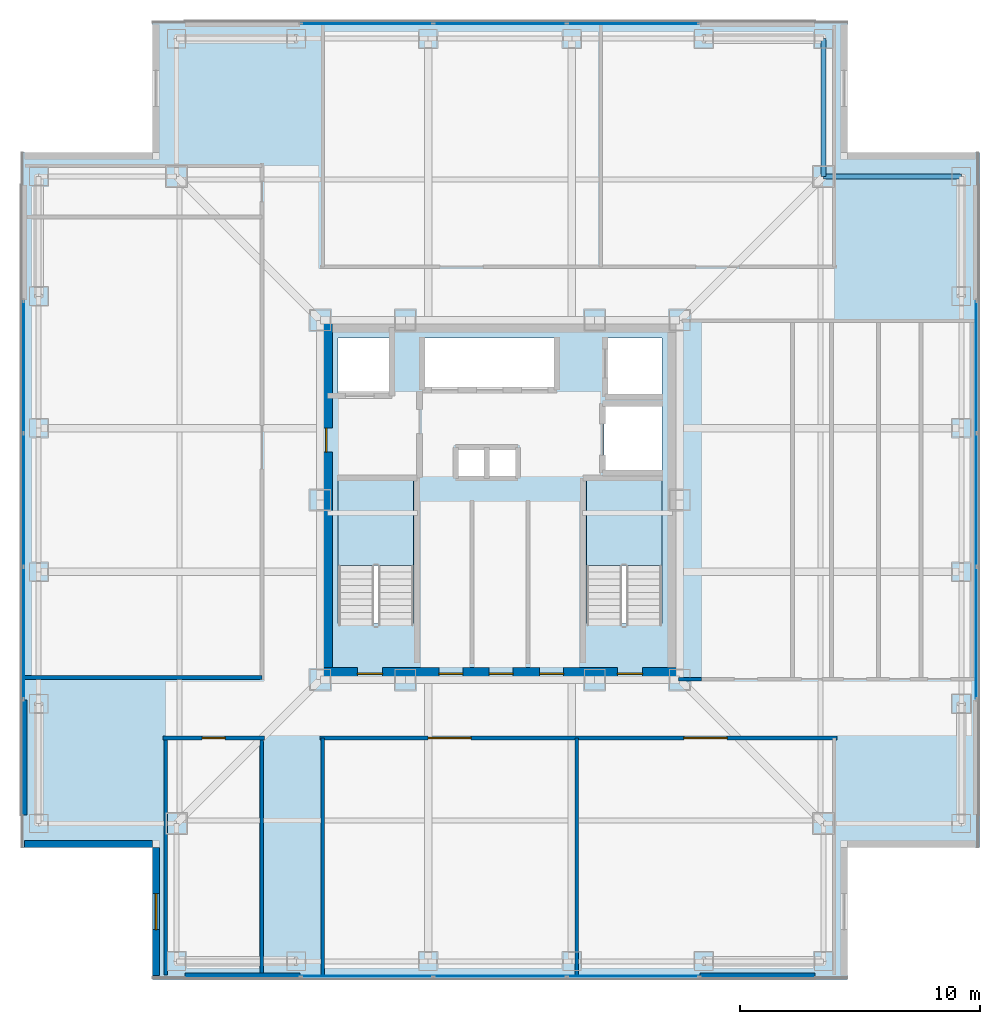
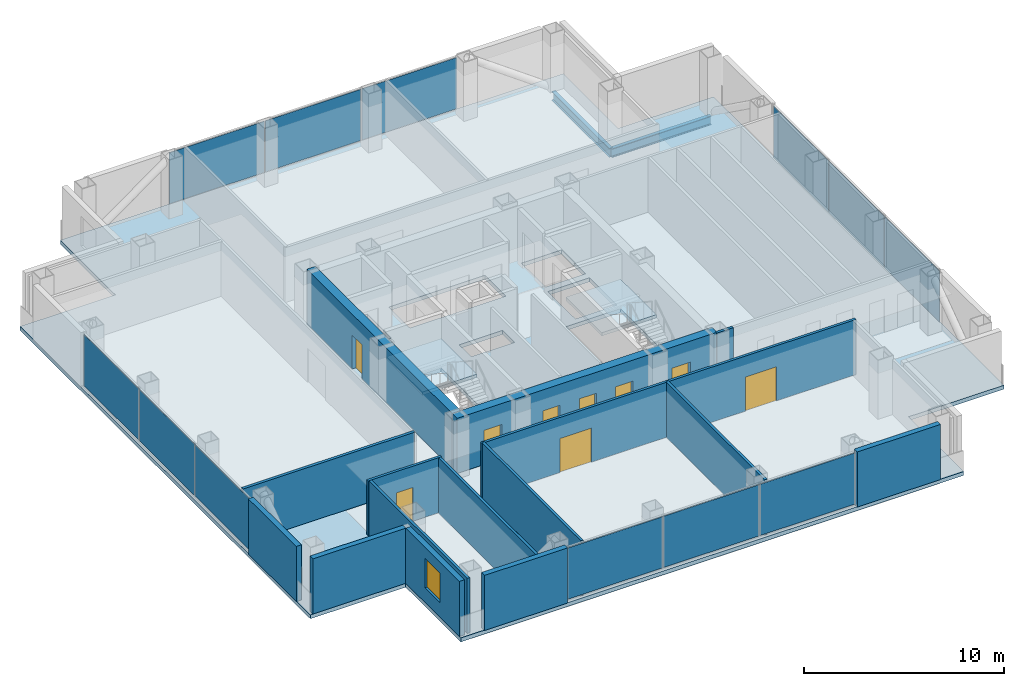
# One storey, part 9 of 17: 15 walls, 12 plates, 9 doors, 3 slabs, 2 beams, 1 window, 10 openings, 6 elements without a shape of their own.
"""IFC4 building model written with IfcOpenShell, lengths in metres."""

from ifc_helpers import new_model, si_unit, direction, frame, frame_2d, origin, origin_2d, place, context, subcontext, project, spatial, polyline, rectangle, i_section, outline, extrude, material, layer, layer_set, material_profile, profile_set, type_object, element, fill, aggregate, save


model = new_model("IFC4")

# Units and contexts
model_context = context("Model", 3, precision=1e-05, world=origin(), true_north=direction((0.0, 1.0)))
body_context = subcontext(model_context, "Body", "Model", "MODEL_VIEW")
ifc_project = project(units=[si_unit("LENGTHUNIT", "METRE"), si_unit("AREAUNIT", "SQUARE_METRE"), si_unit("VOLUMEUNIT", "CUBIC_METRE"), si_unit("PLANEANGLEUNIT", "RADIAN"), si_unit("MASSUNIT", "GRAM", prefix="KILO")], contexts=[model_context])

# Site, building, storey
site_placement = place(None, origin())
site = spatial("IfcSite", under=ifc_project, at=site_placement, CompositionType="ELEMENT")
building_placement = place(site_placement, origin())
building = spatial("IfcBuilding", under=site, at=building_placement, Name="Trevonay Congress Spire", CompositionType="ELEMENT")
storey_placement = place(building_placement, frame((0.0, 0.0, 191.39990234375)))
storey = spatial("IfcBuildingStorey", under=building, at=storey_placement, Name="L49", CompositionType="ELEMENT", Elevation=191.39990234375)

# Beams
ifc_material_1 = material(Name="Steel ASTM A572 Grade 50", Category="steel")
ifc_material_profile = material_profile(ifc_material_1, i_section(OverallWidth=0.2119140625, OverallDepth=0.5439453125, WebThickness=0.01318359375, FlangeThickness=0.021240234375, FilletRadius=0.014892578125, at=origin_2d()), Name="W530x123")
ifc_profile_set = profile_set([ifc_material_profile], Name="Steel ASTM A572 Grade 50")
beam_type = type_object("IfcBeamType", Name="BM-RING-W530X123", PredefinedType="BEAM", material=ifc_profile_set)
for number, where, z_axis, x_axis, name in (
    (1, (13.5, 19.25, -0.511962890625), (0.0, -1.0, 0.0), (1.0, 0.0, 0.0), "L49 structural beam BM-L49-N1NE"),
    (2, (19.25, 13.5, -0.511962890625), (-1.0, 0.0, 0.0), (0.0, -1.0, 0.0), "L49 structural beam BM-L49-N2NE"),
):
    element("IfcBeam", number, at=place(storey_placement, frame(where, z_axis=z_axis, x_axis=x_axis)), inside=storey, type_object=beam_type, Name=name, PredefinedType="BEAM", context=body_context, shape_type="SweptSolid", body=[
        extrude(i_section(OverallWidth=0.2119140625, OverallDepth=0.5439453125, WebThickness=0.01318359375, FlangeThickness=0.021240234375, FilletRadius=0.014892578125, at=origin_2d()), origin(), (0.0, 0.0, 1.0), 5.75),
    ])

# Curtain wall, plates
ifc_material_2 = material(Name="Pale Anodised Aluminium EN AW-6063-T6", Category="aluminium")
ifc_layer_1 = layer(ifc_material_2, 0.169921875, Name="Pale Anodised Aluminium EN AW-6063-T6")
ifc_layer_set_1 = layer_set([ifc_layer_1], Name="Pale Anodised Aluminium EN AW-6063-T6")
curtain_wall_type = type_object("IfcCurtainWallType", Name="CW-SYS04-CORP-PALE-METAL", PredefinedType="NOTDEFINED", material=ifc_layer_set_1)
curtain_wall_1_placement = place(storey_placement, origin())
curtain_wall_1 = element("IfcCurtainWall", 3, at=curtain_wall_1_placement, inside=storey, type_object=curtain_wall_type, Name="L49 S unitised curtain wall", PredefinedType="NOTDEFINED")
ifc_material_3 = material(Name="Insulated Low-E Vision Glass IGU", Category="glass")
ifc_layer_2 = layer(ifc_material_3, 0.035888671875, Name="Insulated Low-E Vision Glass IGU")
ifc_layer_set_2 = layer_set([ifc_layer_2], Name="Insulated Low-E Vision Glass IGU")
plate_type = type_object("IfcPlateType", Name="CW-PANEL-IGU36-SILVER", PredefinedType="CURTAIN_PANEL", material=ifc_layer_set_2)
plate_1_placement = place(storey_placement, frame((-5.5517578125, -19.8798828125, 0.1201171875), z_axis=(0.0, 0.0, 1.0), x_axis=(1.0, 0.0, 0.0)))
plate_1 = element("IfcPlate", 4, at=plate_1_placement, type_object=plate_type, Name="CW04 panel 1.1", PredefinedType="CURTAIN_PANEL", context=body_context, shape_type="SweptSolid", body=[
    extrude(rectangle(XDim=5.4765625, YDim=0.035888671875, at=origin_2d()), origin(), (0.0, 0.0, 1.0), 3.1201171875),
])
plate_2_placement = place(storey_placement, frame((0.0, -19.8798828125, 0.1201171875), z_axis=(0.0, 0.0, 1.0), x_axis=(1.0, 0.0, 0.0)))
plate_2 = element("IfcPlate", 5, at=plate_2_placement, type_object=plate_type, Name="CW04 panel 2.1", PredefinedType="CURTAIN_PANEL", context=body_context, shape_type="SweptSolid", body=[
    extrude(rectangle(XDim=5.506591796875, YDim=0.035888671875, at=origin_2d()), origin(), (0.0, 0.0, 1.0), 3.1201171875),
])
plate_3_placement = place(storey_placement, frame((5.5517578125, -19.8798828125, 0.1201171875), z_axis=(0.0, 0.0, 1.0), x_axis=(1.0, 0.0, 0.0)))
plate_3 = element("IfcPlate", 6, at=plate_3_placement, type_object=plate_type, Name="CW04 panel 3.1", PredefinedType="CURTAIN_PANEL", context=body_context, shape_type="SweptSolid", body=[
    extrude(rectangle(XDim=5.4765625, YDim=0.035888671875, at=origin_2d()), origin(), (0.0, 0.0, 1.0), 3.1201171875),
])
aggregate(curtain_wall_1, [plate_1, plate_2, plate_3])

curtain_wall_2_placement = place(storey_placement, origin())
curtain_wall_2 = element("IfcCurtainWall", 7, at=curtain_wall_2_placement, inside=storey, type_object=curtain_wall_type, Name="L49 N unitised curtain wall", PredefinedType="NOTDEFINED")
plate_4_placement = place(storey_placement, frame((-5.5517578125, 19.8798828125, 0.1201171875), z_axis=(0.0, 0.0, 1.0), x_axis=(1.0, 0.0, 0.0)))
plate_4 = element("IfcPlate", 8, at=plate_4_placement, type_object=plate_type, Name="CW04 panel 1.1", PredefinedType="CURTAIN_PANEL", context=body_context, shape_type="SweptSolid", body=[
    extrude(rectangle(XDim=5.4765625, YDim=0.035888671875, at=origin_2d()), origin(), (0.0, 0.0, 1.0), 3.1201171875),
])
plate_5_placement = place(storey_placement, frame((0.0, 19.8798828125, 0.1201171875), z_axis=(0.0, 0.0, 1.0), x_axis=(1.0, 0.0, 0.0)))
plate_5 = element("IfcPlate", 9, at=plate_5_placement, type_object=plate_type, Name="CW04 panel 2.1", PredefinedType="CURTAIN_PANEL", context=body_context, shape_type="SweptSolid", body=[
    extrude(rectangle(XDim=5.506591796875, YDim=0.035888671875, at=origin_2d()), origin(), (0.0, 0.0, 1.0), 3.1201171875),
])
plate_6_placement = place(storey_placement, frame((5.5517578125, 19.8798828125, 0.1201171875), z_axis=(0.0, 0.0, 1.0), x_axis=(1.0, 0.0, 0.0)))
plate_6 = element("IfcPlate", 10, at=plate_6_placement, type_object=plate_type, Name="CW04 panel 3.1", PredefinedType="CURTAIN_PANEL", context=body_context, shape_type="SweptSolid", body=[
    extrude(rectangle(XDim=5.4765625, YDim=0.035888671875, at=origin_2d()), origin(), (0.0, 0.0, 1.0), 3.1201171875),
])
aggregate(curtain_wall_2, [plate_4, plate_5, plate_6])

curtain_wall_3_placement = place(storey_placement, origin())
curtain_wall_3 = element("IfcCurtainWall", 11, at=curtain_wall_3_placement, inside=storey, type_object=curtain_wall_type, Name="L49 W unitised curtain wall", PredefinedType="NOTDEFINED")
plate_7_placement = place(storey_placement, frame((-19.8798828125, -5.5517578125, 0.1201171875), z_axis=(0.0, 0.0, 1.0), x_axis=(0.0, 1.0, 0.0)))
plate_7 = element("IfcPlate", 12, at=plate_7_placement, type_object=plate_type, Name="CW04 panel 1.1", PredefinedType="CURTAIN_PANEL", context=body_context, shape_type="SweptSolid", body=[
    extrude(rectangle(XDim=5.4765625, YDim=0.035888671875, at=origin_2d()), origin(), (0.0, 0.0, 1.0), 3.1201171875),
])
plate_8_placement = place(storey_placement, frame((-19.8798828125, 0.0, 0.1201171875), z_axis=(0.0, 0.0, 1.0), x_axis=(0.0, 1.0, 0.0)))
plate_8 = element("IfcPlate", 13, at=plate_8_placement, type_object=plate_type, Name="CW04 panel 2.1", PredefinedType="CURTAIN_PANEL", context=body_context, shape_type="SweptSolid", body=[
    extrude(rectangle(XDim=5.506591796875, YDim=0.035888671875, at=origin_2d()), origin(), (0.0, 0.0, 1.0), 3.1201171875),
])
plate_9_placement = place(storey_placement, frame((-19.8798828125, 5.5517578125, 0.1201171875), z_axis=(0.0, 0.0, 1.0), x_axis=(0.0, 1.0, 0.0)))
plate_9 = element("IfcPlate", 14, at=plate_9_placement, type_object=plate_type, Name="CW04 panel 3.1", PredefinedType="CURTAIN_PANEL", context=body_context, shape_type="SweptSolid", body=[
    extrude(rectangle(XDim=5.4765625, YDim=0.035888671875, at=origin_2d()), origin(), (0.0, 0.0, 1.0), 3.1201171875),
])
aggregate(curtain_wall_3, [plate_7, plate_8, plate_9])

curtain_wall_4_placement = place(storey_placement, origin())
curtain_wall_4 = element("IfcCurtainWall", 15, at=curtain_wall_4_placement, inside=storey, type_object=curtain_wall_type, Name="L49 E unitised curtain wall", PredefinedType="NOTDEFINED")
plate_10_placement = place(storey_placement, frame((19.8798828125, -5.5517578125, 0.1201171875), z_axis=(0.0, 0.0, 1.0), x_axis=(0.0, 1.0, 0.0)))
plate_10 = element("IfcPlate", 16, at=plate_10_placement, type_object=plate_type, Name="CW04 panel 1.1", PredefinedType="CURTAIN_PANEL", context=body_context, shape_type="SweptSolid", body=[
    extrude(rectangle(XDim=5.4765625, YDim=0.035888671875, at=origin_2d()), origin(), (0.0, 0.0, 1.0), 3.1201171875),
])
plate_11_placement = place(storey_placement, frame((19.8798828125, 0.0, 0.1201171875), z_axis=(0.0, 0.0, 1.0), x_axis=(0.0, 1.0, 0.0)))
plate_11 = element("IfcPlate", 17, at=plate_11_placement, type_object=plate_type, Name="CW04 panel 2.1", PredefinedType="CURTAIN_PANEL", context=body_context, shape_type="SweptSolid", body=[
    extrude(rectangle(XDim=5.506591796875, YDim=0.035888671875, at=origin_2d()), origin(), (0.0, 0.0, 1.0), 3.1201171875),
])
plate_12_placement = place(storey_placement, frame((19.8798828125, 5.5517578125, 0.1201171875), z_axis=(0.0, 0.0, 1.0), x_axis=(0.0, 1.0, 0.0)))
plate_12 = element("IfcPlate", 18, at=plate_12_placement, type_object=plate_type, Name="CW04 panel 3.1", PredefinedType="CURTAIN_PANEL", context=body_context, shape_type="SweptSolid", body=[
    extrude(rectangle(XDim=5.4765625, YDim=0.035888671875, at=origin_2d()), origin(), (0.0, 0.0, 1.0), 3.1201171875),
])
aggregate(curtain_wall_4, [plate_10, plate_11, plate_12])

# Stair, slab
ifc_material_4 = material(Name="Concrete C40/50", Category="concrete")
stair_type_1 = type_object("IfcStairType", Name="STR-ST-1", PredefinedType="HALF_TURN_STAIR", material=ifc_material_4)
stair_1_placement = place(storey_placement, origin())
stair_1 = element("IfcStair", 19, at=stair_1_placement, inside=storey, type_object=stair_type_1, Name="L49 Protected Exit Stair ST-1", PredefinedType="HALF_TURN_STAIR")
ifc_layer_3 = layer(ifc_material_4, 0.199951171875, Name="Concrete C40/50")
ifc_layer_set_3 = layer_set([ifc_layer_3], Name="Concrete C40/50")
slab_type_1 = type_object("IfcSlabType", Name="SLB-STAIR-LAND-200", PredefinedType="LANDING", material=ifc_layer_set_3)
slab_1_placement = place(storey_placement, frame((0.0, 0.0, 1.60009765625)))
slab_1 = element("IfcSlab", 20, at=slab_1_placement, type_object=slab_type_1, Name="ST-1 landing 1", PredefinedType="LANDING", context=body_context, shape_type="SweptSolid", body=[
    extrude(outline(polyline([(-3.60009765625, -2.72998046875), (-3.60009765625, 0.85009765625), (-6.75, 0.85009765625), (-6.75, -2.72998046875), (-3.60009765625, -2.72998046875)])), origin(), (0.0, 0.0, 1.0), 0.199951171875),
])
aggregate(stair_1, [slab_1])

stair_type_2 = type_object("IfcStairType", Name="STR-ST-2", PredefinedType="HALF_TURN_STAIR", material=ifc_material_4)
stair_2_placement = place(storey_placement, origin())
stair_2 = element("IfcStair", 21, at=stair_2_placement, inside=storey, type_object=stair_type_2, Name="L49 Protected Exit Stair ST-2", PredefinedType="HALF_TURN_STAIR")
slab_2_placement = place(storey_placement, frame((0.0, 0.0, 1.60009765625)))
slab_2 = element("IfcSlab", 22, at=slab_2_placement, type_object=slab_type_1, Name="ST-2 landing 1", PredefinedType="LANDING", context=body_context, shape_type="SweptSolid", body=[
    extrude(outline(polyline([(6.75, -2.72998046875), (6.75, 0.85009765625), (3.60009765625, 0.85009765625), (3.60009765625, -2.72998046875), (6.75, -2.72998046875)])), origin(), (0.0, 0.0, 1.0), 0.199951171875),
])
aggregate(stair_2, [slab_2])

# Slab
ifc_layer_4 = layer(ifc_material_4, 0.239990234375, Name="Concrete C40/50")
ifc_layer_set_4 = layer_set([ifc_layer_4], Name="Concrete C40/50")
slab_type_2 = type_object("IfcSlabType", Name="SLB-TOW2-240", PredefinedType="FLOOR", material=ifc_layer_set_4)
slab_3_placement = place(storey_placement, frame((0.0, 0.0, -0.239990234375)))
element("IfcSlab", 23, at=slab_3_placement, inside=storey, type_object=slab_type_2, Name="L49 structural floor slab", PredefinedType="FLOOR", context=body_context, shape_type="SweptSolid", body=[
    extrude(outline(polyline([(-14.5, -20.0), (14.5, -20.0), (14.5, -14.5), (20.0, -14.5), (20.0, 14.5), (14.5, 14.5), (14.5, 20.0), (-14.5, 20.0), (-14.5, 14.5), (-20.0, 14.5), (-20.0, -14.5), (-14.5, -14.5), (-14.5, -20.0)]), holes=[polyline([(-3.60009765625, -5.14990234375), (-3.60009765625, 0.85009765625), (-6.75, 0.85009765625), (-6.75, -5.14990234375), (-3.60009765625, -5.14990234375)]), polyline([(6.75, -5.14990234375), (6.75, 0.85009765625), (3.60009765625, 0.85009765625), (3.60009765625, -5.14990234375), (6.75, -5.14990234375)]), polyline([(-3.199951171875, 4.64990234375), (2.340087890625, 4.64990234375), (2.340087890625, 6.75), (-3.199951171875, 6.75), (-3.199951171875, 4.64990234375)]), polyline([(-6.75, 4.35009765625), (-4.449951171875, 4.35009765625), (-4.449951171875, 6.75), (-6.75, 6.75), (-6.75, 4.35009765625)]), polyline([(4.449951171875, 4.35009765625), (6.75, 4.35009765625), (6.75, 6.75), (4.449951171875, 6.75), (4.449951171875, 4.35009765625)]), polyline([(4.35009765625, 1.199951171875), (6.75, 1.199951171875), (6.75, 3.949951171875), (4.35009765625, 3.949951171875), (4.35009765625, 1.199951171875)]), polyline([(-1.800048828125, 0.949951171875), (0.699951171875, 0.949951171875), (0.699951171875, 2.14990234375), (-1.800048828125, 2.14990234375), (-1.800048828125, 0.949951171875)])]), origin(), (0.0, 0.0, 1.0), 0.239990234375),
])

# Wall, openings, doors
ifc_material_5 = material(Name="Concrete C50/60", Category="concrete")
ifc_layer_5 = layer(ifc_material_5, 0.5, Name="Concrete C50/60")
ifc_layer_set_5 = layer_set([ifc_layer_5], Name="Concrete C50/60")
wall_type_1 = type_object("IfcWallType", Name="WAL-CORE-500", PredefinedType="SHEAR", material=ifc_layer_set_5)
wall_1_placement = place(storey_placement, frame((-7.5, -7.25, 0.0), z_axis=(0.0, 0.0, 1.0), x_axis=(1.0, 0.0, 0.0)))
wall_1 = element("IfcWall", 24, at=wall_1_placement, inside=storey, type_object=wall_type_1, Name="L49 South structural core shear wall", PredefinedType="SHEAR", context=body_context, shape_type="SweptSolid", body=[
    extrude(rectangle(XDim=15.0, YDim=0.5, at=frame_2d((7.5, 0.0))), origin(), (0.0, 0.0, 1.0), 3.360107421875),
])
opening_1_placement = place(wall_1_placement, frame((1.550048828125, 0.0, 0.0)))
opening_1 = element("IfcOpeningElement", 25, at=opening_1_placement, cuts=wall_1, Name="Opening D05", PredefinedType="OPENING", context=body_context, shape_type="SweptSolid", body=[
    extrude(rectangle(XDim=1.050048828125, YDim=2.080078125, at=frame_2d((0.52490234375, 1.0400390625))), frame((0.0, 0.260009765625, 0.0), z_axis=(0.0, -1.0, 0.0), x_axis=(1.0, 0.0, 0.0)), (0.0, 0.0, 1.0), 0.52001953125),
])
opening_2_placement = place(wall_1_placement, frame((12.39990234375, 0.0, 0.0)))
opening_2 = element("IfcOpeningElement", 26, at=opening_2_placement, cuts=wall_1, Name="Opening D05", PredefinedType="OPENING", context=body_context, shape_type="SweptSolid", body=[
    extrude(rectangle(XDim=1.050048828125, YDim=2.080078125, at=frame_2d((0.52490234375, 1.0400390625))), frame((0.0, 0.260009765625, 0.0), z_axis=(0.0, -1.0, 0.0), x_axis=(1.0, 0.0, 0.0)), (0.0, 0.0, 1.0), 0.52001953125),
])
opening_3_placement = place(wall_1_placement, frame((4.949951171875, 0.0, 0.0)))
opening_3 = element("IfcOpeningElement", 27, at=opening_3_placement, cuts=wall_1, Name="Opening D06", PredefinedType="OPENING", context=body_context, shape_type="SweptSolid", body=[
    extrude(rectangle(XDim=1.0, YDim=2.080078125, at=frame_2d((0.5, 1.0400390625))), frame((0.0, 0.260009765625, 0.0), z_axis=(0.0, -1.0, 0.0), x_axis=(1.0, 0.0, 0.0)), (0.0, 0.0, 1.0), 0.52001953125),
])
opening_4_placement = place(wall_1_placement, frame((7.050048828125, 0.0, 0.0)))
opening_4 = element("IfcOpeningElement", 28, at=opening_4_placement, cuts=wall_1, Name="Opening D06", PredefinedType="OPENING", context=body_context, shape_type="SweptSolid", body=[
    extrude(rectangle(XDim=1.0, YDim=2.080078125, at=frame_2d((0.5, 1.0400390625))), frame((0.0, 0.260009765625, 0.0), z_axis=(0.0, -1.0, 0.0), x_axis=(1.0, 0.0, 0.0)), (0.0, 0.0, 1.0), 0.52001953125),
])
opening_5_placement = place(wall_1_placement, frame((9.14990234375, 0.0, 0.0)))
opening_5 = element("IfcOpeningElement", 29, at=opening_5_placement, cuts=wall_1, Name="Opening D06", PredefinedType="OPENING", context=body_context, shape_type="SweptSolid", body=[
    extrude(rectangle(XDim=1.0, YDim=2.080078125, at=frame_2d((0.5, 1.0400390625))), frame((0.0, 0.260009765625, 0.0), z_axis=(0.0, -1.0, 0.0), x_axis=(1.0, 0.0, 0.0)), (0.0, 0.0, 1.0), 0.52001953125),
])
door_type_1 = type_object("IfcDoorType", Name="DOR-FIRE-100", OperationType="NOTDEFINED", PredefinedType="DOOR", material=ifc_material_1)
door_1_placement = place(opening_3_placement, origin())
door_1 = element("IfcDoor", 30, at=door_1_placement, inside=storey, type_object=door_type_1, Name="L49 South Core Room 1 Door", OperationType="SINGLE_SWING_LEFT", OverallHeight=2.080078125, OverallWidth=1.0, PredefinedType="DOOR", context=body_context, shape_type="SweptSolid", body=[
    extrude(rectangle(XDim=1.0, YDim=2.080078125, at=frame_2d((0.5, 1.0400390625))), frame((0.0, 0.02490234375, 0.0), z_axis=(0.0, -1.0, 0.0), x_axis=(1.0, 0.0, 0.0)), (0.0, 0.0, 1.0), 0.050048828125),
])
fill(opening_3, door_1)
door_2_placement = place(opening_4_placement, origin())
door_2 = element("IfcDoor", 31, at=door_2_placement, inside=storey, type_object=door_type_1, Name="L49 South Core Room 2 Door", OperationType="SINGLE_SWING_RIGHT", OverallHeight=2.080078125, OverallWidth=1.0, PredefinedType="DOOR", context=body_context, shape_type="SweptSolid", body=[
    extrude(rectangle(XDim=1.0, YDim=2.080078125, at=frame_2d((0.5, 1.0400390625))), frame((0.0, 0.02490234375, 0.0), z_axis=(0.0, -1.0, 0.0), x_axis=(1.0, 0.0, 0.0)), (0.0, 0.0, 1.0), 0.050048828125),
])
fill(opening_4, door_2)
door_3_placement = place(opening_5_placement, origin())
door_3 = element("IfcDoor", 32, at=door_3_placement, inside=storey, type_object=door_type_1, Name="L49 South Core Room 3 Door", OperationType="SINGLE_SWING_LEFT", OverallHeight=2.080078125, OverallWidth=1.0, PredefinedType="DOOR", context=body_context, shape_type="SweptSolid", body=[
    extrude(rectangle(XDim=1.0, YDim=2.080078125, at=frame_2d((0.5, 1.0400390625))), frame((0.0, 0.02490234375, 0.0), z_axis=(0.0, -1.0, 0.0), x_axis=(1.0, 0.0, 0.0)), (0.0, 0.0, 1.0), 0.050048828125),
])
fill(opening_5, door_3)
door_type_2 = type_object("IfcDoorType", Name="DOR-STAIR-110", OperationType="NOTDEFINED", PredefinedType="DOOR", material=ifc_material_1)
door_4_placement = place(opening_1_placement, origin())
door_4 = element("IfcDoor", 33, at=door_4_placement, inside=storey, type_object=door_type_2, Name="L49 Protected Stair ST-1 Door", OperationType="SINGLE_SWING_RIGHT", OverallHeight=2.080078125, OverallWidth=1.050048828125, PredefinedType="DOOR", context=body_context, shape_type="SweptSolid", body=[
    extrude(rectangle(XDim=1.050048828125, YDim=2.080078125, at=frame_2d((0.52490234375, 1.0400390625))), frame((0.0, 0.02490234375, 0.0), z_axis=(0.0, -1.0, 0.0), x_axis=(1.0, 0.0, 0.0)), (0.0, 0.0, 1.0), 0.050048828125),
])
fill(opening_1, door_4)
door_5_placement = place(opening_2_placement, origin())
door_5 = element("IfcDoor", 34, at=door_5_placement, inside=storey, type_object=door_type_2, Name="L49 Protected Stair ST-2 Door", OperationType="SINGLE_SWING_LEFT", OverallHeight=2.080078125, OverallWidth=1.050048828125, PredefinedType="DOOR", context=body_context, shape_type="SweptSolid", body=[
    extrude(rectangle(XDim=1.050048828125, YDim=2.080078125, at=frame_2d((0.52490234375, 1.0400390625))), frame((0.0, 0.02490234375, 0.0), z_axis=(0.0, -1.0, 0.0), x_axis=(1.0, 0.0, 0.0)), (0.0, 0.0, 1.0), 0.050048828125),
])
fill(opening_2, door_5)

# Wall, opening, door
wall_2_placement = place(storey_placement, frame((-7.25, -7.5, 0.0), z_axis=(0.0, 0.0, 1.0), x_axis=(0.0, 1.0, 0.0)))
wall_2 = element("IfcWall", 35, at=wall_2_placement, inside=storey, type_object=wall_type_1, Name="L49 West structural core shear wall", PredefinedType="SHEAR", context=body_context, shape_type="SweptSolid", body=[
    extrude(rectangle(XDim=15.0, YDim=0.5, at=frame_2d((7.5, 0.0))), origin(), (0.0, 0.0, 1.0), 3.360107421875),
])
opening_6_placement = place(wall_2_placement, frame((9.5, 0.0, 0.0)))
opening_6 = element("IfcOpeningElement", 36, at=opening_6_placement, cuts=wall_2, Name="Opening D06", PredefinedType="OPENING", context=body_context, shape_type="SweptSolid", body=[
    extrude(rectangle(XDim=1.0, YDim=2.080078125, at=frame_2d((0.5, 1.0400390625))), frame((0.0, 0.260009765625, 0.0), z_axis=(0.0, -1.0, 0.0), x_axis=(1.0, 0.0, 0.0)), (0.0, 0.0, 1.0), 0.52001953125),
])
door_6_placement = place(opening_6_placement, origin())
door_6 = element("IfcDoor", 37, at=door_6_placement, inside=storey, type_object=door_type_1, Name="L49 Firefighting Lift Lobby West Corridor Door", OperationType="SINGLE_SWING_RIGHT", OverallHeight=2.080078125, OverallWidth=1.0, PredefinedType="DOOR", context=body_context, shape_type="SweptSolid", body=[
    extrude(rectangle(XDim=1.0, YDim=2.080078125, at=frame_2d((0.5, 1.0400390625))), frame((0.0, 0.02490234375, 0.0), z_axis=(0.0, -1.0, 0.0), x_axis=(1.0, 0.0, 0.0)), (0.0, 0.0, 1.0), 0.050048828125),
])
fill(opening_6, door_6)

ifc_layer_6 = layer(ifc_material_4, 0.14990234375, Name="Concrete C40/50")
ifc_layer_set_6 = layer_set([ifc_layer_6], Name="Concrete C40/50")
wall_type_2 = type_object("IfcWallType", Name="WAL-CORR-150", PredefinedType="PARTITIONING", material=ifc_layer_set_6)
wall_3_placement = place(storey_placement, frame((-14.070068359375, -9.929931640625, 0.0), z_axis=(0.0, 0.0, 1.0), x_axis=(1.0, 0.0, 0.0)))
wall_3 = element("IfcWall", 38, at=wall_3_placement, inside=storey, type_object=wall_type_2, Name="L49 interior wall WP-L49SW-COR", PredefinedType="PARTITIONING", context=body_context, shape_type="SweptSolid", body=[
    extrude(rectangle(XDim=4.239990234375, YDim=0.14990234375, at=frame_2d((2.1201171875, 0.0))), origin(), (0.0, 0.0, 1.0), 3.360107421875),
])
opening_7_placement = place(wall_3_placement, frame((1.64501953125, 0.0, 0.0)))
opening_7 = element("IfcOpeningElement", 39, at=opening_7_placement, cuts=wall_3, Name="Opening D07", PredefinedType="OPENING", context=body_context, shape_type="SweptSolid", body=[
    extrude(rectangle(XDim=0.949951171875, YDim=2.06005859375, at=frame_2d((0.47509765625, 1.030029296875))), frame((0.0, 0.0849609375, 0.0), z_axis=(0.0, -1.0, 0.0), x_axis=(1.0, 0.0, 0.0)), (0.0, 0.0, 1.0), 0.169921875),
])
door_type_3 = type_object("IfcDoorType", Name="DOR-OFFICE-95", OperationType="NOTDEFINED", PredefinedType="DOOR", material=ifc_material_2)
door_7_placement = place(opening_7_placement, origin())
door_7 = element("IfcDoor", 40, at=door_7_placement, inside=storey, type_object=door_type_3, Name="L49 Sommelier Wine Tasting Cellar Door", OperationType="SINGLE_SWING_LEFT", OverallHeight=2.06005859375, OverallWidth=0.949951171875, PredefinedType="DOOR", context=body_context, shape_type="SweptSolid", body=[
    extrude(rectangle(XDim=0.949951171875, YDim=2.06005859375, at=frame_2d((0.47509765625, 1.030029296875))), frame((0.0, 0.02490234375, 0.0), z_axis=(0.0, -1.0, 0.0), x_axis=(1.0, 0.0, 0.0)), (0.0, 0.0, 1.0), 0.050048828125),
])
fill(opening_7, door_7)

# Wall, openings, doors
wall_4_placement = place(storey_placement, frame((-7.52001953125, -9.929931640625, 0.0), z_axis=(0.0, 0.0, 1.0), x_axis=(1.0, 0.0, 0.0)))
wall_4 = element("IfcWall", 41, at=wall_4_placement, inside=storey, type_object=wall_type_2, Name="L49 interior wall WP-L49SE-COR", PredefinedType="PARTITIONING", context=body_context, shape_type="SweptSolid", body=[
    extrude(rectangle(XDim=21.590087890625, YDim=0.14990234375, at=frame_2d((10.794921875, 0.0))), origin(), (0.0, 0.0, 1.0), 3.360107421875),
])
opening_8_placement = place(wall_4_placement, frame((4.52001953125, 0.0, 0.0)))
opening_8 = element("IfcOpeningElement", 42, at=opening_8_placement, cuts=wall_4, Name="Opening D09", PredefinedType="OPENING", context=body_context, shape_type="SweptSolid", body=[
    extrude(rectangle(XDim=1.800048828125, YDim=2.080078125, at=frame_2d((0.89990234375, 1.0400390625))), frame((0.0, 0.0849609375, 0.0), z_axis=(0.0, -1.0, 0.0), x_axis=(1.0, 0.0, 0.0)), (0.0, 0.0, 1.0), 0.169921875),
])
opening_9_placement = place(wall_4_placement, frame((15.195068359375, 0.0, 0.0)))
opening_9 = element("IfcOpeningElement", 43, at=opening_9_placement, cuts=wall_4, Name="Opening D09", PredefinedType="OPENING", context=body_context, shape_type="SweptSolid", body=[
    extrude(rectangle(XDim=1.800048828125, YDim=2.080078125, at=frame_2d((0.89990234375, 1.0400390625))), frame((0.0, 0.0849609375, 0.0), z_axis=(0.0, -1.0, 0.0), x_axis=(1.0, 0.0, 0.0)), (0.0, 0.0, 1.0), 0.169921875),
])
door_type_4 = type_object("IfcDoorType", Name="DOR-CONF-DBL", OperationType="DOUBLE_DOOR_SINGLE_SWING", PredefinedType="DOOR", material=ifc_material_2)
door_8_placement = place(opening_8_placement, origin())
door_8 = element("IfcDoor", 44, at=door_8_placement, inside=storey, type_object=door_type_4, Name="L49 Corporate Main Production Kitchen Door", OperationType="DOUBLE_DOOR_SINGLE_SWING", OverallHeight=2.080078125, OverallWidth=1.800048828125, PredefinedType="DOOR", context=body_context, shape_type="SweptSolid", body=[
    extrude(rectangle(XDim=1.800048828125, YDim=2.080078125, at=frame_2d((0.89990234375, 1.0400390625))), frame((0.0, 0.02490234375, 0.0), z_axis=(0.0, -1.0, 0.0), x_axis=(1.0, 0.0, 0.0)), (0.0, 0.0, 1.0), 0.050048828125),
])
fill(opening_8, door_8)
door_9_placement = place(opening_9_placement, origin())
door_9 = element("IfcDoor", 45, at=door_9_placement, inside=storey, type_object=door_type_4, Name="L49 Pastry and Garde-Manger Kitchen Door", OperationType="DOUBLE_DOOR_SINGLE_SWING", OverallHeight=2.080078125, OverallWidth=1.800048828125, PredefinedType="DOOR", context=body_context, shape_type="SweptSolid", body=[
    extrude(rectangle(XDim=1.800048828125, YDim=2.080078125, at=frame_2d((0.89990234375, 1.0400390625))), frame((0.0, 0.02490234375, 0.0), z_axis=(0.0, -1.0, 0.0), x_axis=(1.0, 0.0, 0.0)), (0.0, 0.0, 1.0), 0.050048828125),
])
fill(opening_9, door_9)

# Walls
wall_5_placement = place(storey_placement, frame((7.449951171875, -7.47998046875, 0.0), z_axis=(0.0, 0.0, 1.0), x_axis=(1.0, 0.0, 0.0)))
element("IfcWall", 46, at=wall_5_placement, inside=storey, type_object=wall_type_2, Name="L49 interior wall WP-L49E-STUB", PredefinedType="PARTITIONING", context=body_context, shape_type="SweptSolid", body=[
    extrude(rectangle(XDim=0.949951171875, YDim=0.14990234375, at=frame_2d((0.47509765625, 0.0))), origin(), (0.0, 0.0, 1.0), 3.360107421875),
])
ifc_material_6 = material(Name="Precast concrete C40/50", Category="concrete")
ifc_layer_7 = layer(ifc_material_6, 0.300048828125, Name="Precast concrete C40/50")
ifc_layer_set_7 = layer_set([ifc_layer_7], Name="Precast concrete C40/50")
wall_type_3 = type_object("IfcWallType", Name="WAL-EXT-PRECAST-300", PredefinedType="SOLIDWALL", material=ifc_layer_set_7)
for number, where, z_axis, x_axis, name in (
    (47, (-13.14990234375, -19.8798828125, 0.0), (0.0, 0.0, 1.0), (1.0, 0.0, 0.0), "L49 SL braced-bay exterior pier wall"),
    (48, (8.35009765625, -19.8798828125, 0.0), (0.0, 0.0, 1.0), (1.0, 0.0, 0.0), "L49 SR braced-bay exterior pier wall"),
    (49, (-19.8798828125, -13.14990234375, 0.0), (0.0, 0.0, 1.0), (0.0, 1.0, 0.0), "L49 WL braced-bay exterior pier wall"),
):
    element("IfcWall", number, at=place(storey_placement, frame(where, z_axis=z_axis, x_axis=x_axis)), inside=storey, type_object=wall_type_3, Name=name, PredefinedType="SOLIDWALL", context=body_context, shape_type="SweptSolid", body=[
        extrude(rectangle(XDim=4.7998046875, YDim=0.300048828125, at=frame_2d((2.39990234375, 0.0))), origin(), (0.0, 0.0, 1.0), 3.360107421875),
    ])

# Wall, opening, window
wall_6_placement = place(storey_placement, frame((-14.35009765625, -19.85009765625, 0.0), z_axis=(0.0, 0.0, 1.0), x_axis=(0.0, 1.0, 0.0)))
wall_6 = element("IfcWall", 50, at=wall_6_placement, inside=storey, type_object=wall_type_3, Name="L49 SW re-entrant notch exterior wall 1", PredefinedType="SOLIDWALL", context=body_context, shape_type="SweptSolid", body=[
    extrude(rectangle(XDim=5.35009765625, YDim=0.300048828125, at=frame_2d((2.675048828125, 0.0))), origin(), (0.0, 0.0, 1.0), 3.360107421875),
])
opening_10_placement = place(wall_6_placement, frame((1.925048828125, 0.0, 0.89990234375)))
opening_10 = element("IfcOpeningElement", 51, at=opening_10_placement, cuts=wall_6, Name="Opening WN03", PredefinedType="OPENING", context=body_context, shape_type="SweptSolid", body=[
    extrude(rectangle(XDim=1.5, YDim=1.800048828125, at=frame_2d((0.75, 0.89990234375))), frame((0.0, 0.16015625, 0.0), z_axis=(0.0, -1.0, 0.0), x_axis=(1.0, 0.0, 0.0)), (0.0, 0.0, 1.0), 0.320068359375),
])
window_type = type_object("IfcWindowType", Name="WIN-NOTCH-150X180", PartitioningType="SINGLE_PANEL", PredefinedType="WINDOW", material=ifc_material_3)
window_placement = place(opening_10_placement, origin())
window = element("IfcWindow", 52, at=window_placement, inside=storey, type_object=window_type, Name="L49 SW corner notch window", OverallHeight=1.800048828125, OverallWidth=1.5, PartitioningType="SINGLE_PANEL", PredefinedType="WINDOW", context=body_context, shape_type="SweptSolid", body=[
    extrude(rectangle(XDim=1.5, YDim=1.800048828125, at=frame_2d((0.75, 0.89990234375))), frame((0.0, 0.030029296875, 0.0), z_axis=(0.0, -1.0, 0.0), x_axis=(1.0, 0.0, 0.0)), (0.0, 0.0, 1.0), 0.06005859375),
])
fill(opening_10, window)

# Walls
wall_7_placement = place(storey_placement, frame((-19.85009765625, -14.35009765625, 0.0), z_axis=(0.0, 0.0, 1.0), x_axis=(1.0, 0.0, 0.0)))
element("IfcWall", 53, at=wall_7_placement, inside=storey, type_object=wall_type_3, Name="L49 SW re-entrant notch exterior wall 2", PredefinedType="SOLIDWALL", context=body_context, shape_type="SweptSolid", body=[
    extrude(rectangle(XDim=5.35009765625, YDim=0.300048828125, at=frame_2d((2.675048828125, 0.0))), origin(), (0.0, 0.0, 1.0), 3.360107421875),
])
ifc_layer_8 = layer(ifc_material_4, 0.14990234375, Name="Concrete C40/50")
ifc_layer_set_8 = layer_set([ifc_layer_8], Name="Concrete C40/50")
wall_type_4 = type_object("IfcWallType", Name="WAL-PART-150", PredefinedType="PARTITIONING", material=ifc_layer_set_8)
for number, where, z_axis, x_axis, name in (
    (54, (-13.949951171875, -19.820068359375, 0.0), (0.0, 0.0, 1.0), (0.0, 1.0, 0.0), "L49 interior wall WP-L49SW-DIV1"),
    (55, (-9.949951171875, -19.820068359375, 0.0), (0.0, 0.0, 1.0), (0.0, 1.0, 0.0), "L49 interior wall WP-L49SW-DIV2"),
    (56, (-7.39990234375, -19.820068359375, 0.0), (0.0, 0.0, 1.0), (0.0, 1.0, 0.0), "L49 interior wall WP-L49SE-DIV1"),
    (57, (3.199951171875, -19.820068359375, 0.0), (0.0, 0.0, 1.0), (0.0, 1.0, 0.0), "L49 interior wall WP-L49SE-DIV2"),
):
    element("IfcWall", number, at=place(storey_placement, frame(where, z_axis=z_axis, x_axis=x_axis)), inside=storey, type_object=wall_type_4, Name=name, PredefinedType="PARTITIONING", context=body_context, shape_type="SweptSolid", body=[
        extrude(rectangle(XDim=9.89013671875, YDim=0.14990234375, at=frame_2d((4.945068359375, 0.0))), origin(), (0.0, 0.0, 1.0), 3.360107421875),
    ])
ifc_layer_9 = layer(ifc_material_4, 0.1650390625, Name="Concrete C40/50")
ifc_layer_set_9 = layer_set([ifc_layer_9], Name="Concrete C40/50")
wall_type_5 = type_object("IfcWallType", Name="WAL-WET-165", PredefinedType="PLUMBINGWALL", material=ifc_layer_set_9)
wall_8_placement = place(storey_placement, frame((-19.820068359375, -7.39990234375, 0.0), z_axis=(0.0, 0.0, 1.0), x_axis=(1.0, 0.0, 0.0)))
element("IfcWall", 58, at=wall_8_placement, inside=storey, type_object=wall_type_5, Name="L49 interior wall WP-L49NW-DIV1", PredefinedType="PLUMBINGWALL", context=body_context, shape_type="SweptSolid", body=[
    extrude(rectangle(XDim=9.89013671875, YDim=0.1650390625, at=frame_2d((4.945068359375, 0.0))), origin(), (0.0, 0.0, 1.0), 3.360107421875),
])

save(model, "model.ifc")
